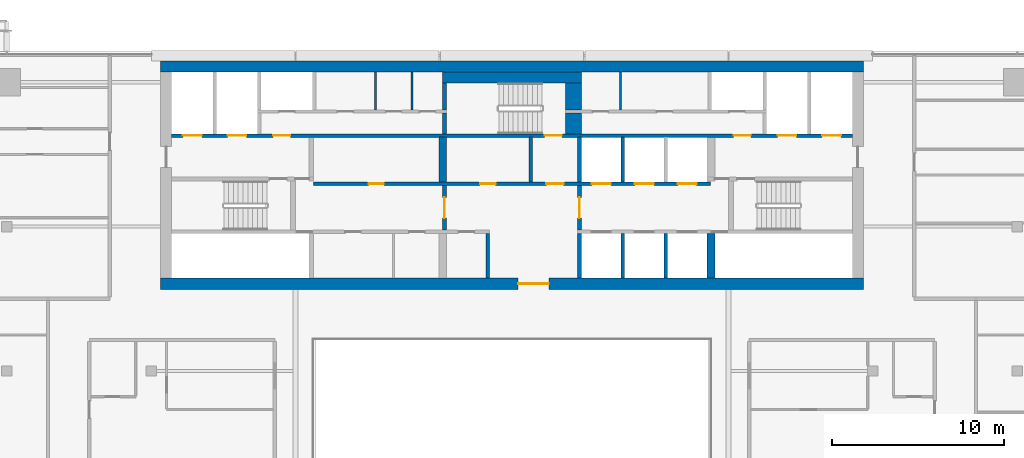
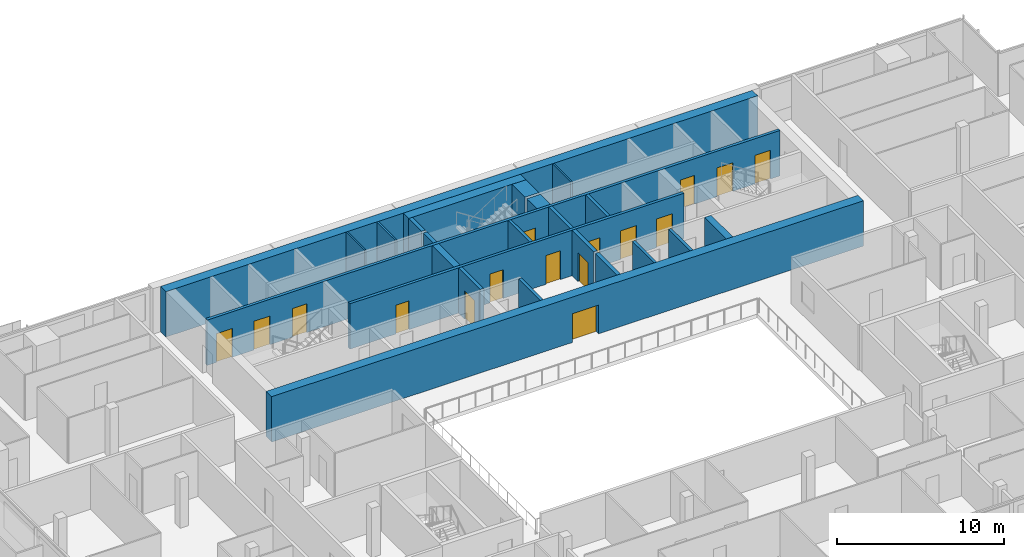
# One storey, part 21 of 30: 23 walls, 16 doors, 16 openings.
"""IFC4 building model written with IfcOpenShell, lengths in metres."""

from ifc_helpers import new_model, si_unit, direction, frame, frame_2d, origin, place, context, subcontext, project, spatial, rectangle, extrude, material, layer, layer_set, type_object, element, fill, save


model = new_model("IFC4")

# Units and contexts
model_context = context("Model", 3, precision=1e-05, world=origin(), true_north=direction((0.0, 1.0)))
body_context = subcontext(model_context, "Body", "Model", "MODEL_VIEW")
ifc_project = project(units=[si_unit("LENGTHUNIT", "METRE"), si_unit("AREAUNIT", "SQUARE_METRE"), si_unit("VOLUMEUNIT", "CUBIC_METRE"), si_unit("PLANEANGLEUNIT", "RADIAN"), si_unit("MASSUNIT", "GRAM", prefix="KILO")], contexts=[model_context])

# Site, building, storey
site_placement = place(None, origin())
site = spatial("IfcSite", under=ifc_project, at=site_placement, CompositionType="ELEMENT")
building_placement = place(site_placement, origin())
building = spatial("IfcBuilding", under=site, at=building_placement, Name="Saffron Gate Tower", CompositionType="ELEMENT")
storey_placement = place(building_placement, frame((0.0, 0.0, 216.300048828125)))
storey = spatial("IfcBuildingStorey", under=building, at=storey_placement, Name="L52", CompositionType="ELEMENT", Elevation=216.300048828125)

# Walls
ifc_material_1 = material(Name="Gypsum board partition on steel studs", Category="steel")
ifc_layer_1 = layer(ifc_material_1, 0.199951171875)
ifc_layer_set_1 = layer_set([ifc_layer_1], Name="CW10 Core partition 200")
wall_type_1 = type_object("IfcWallType", Name="CW10 Core partition 200", PredefinedType="PARTITIONING", material=ifc_layer_set_1)
for number, where, z_axis, x_axis, name in (
    (1, (86.199951171875, 62.39990234375, 0.0), (0.0, 0.0, 1.0), (0.0, 1.0, 0.0), "Wall CW10-L52-8"),
    (2, (88.699951171875, 68.0, 0.0), (0.0, 0.0, 1.0), (0.0, 1.0, 0.0), "Wall CW10-L52-21"),
):
    element("IfcWall", number, at=place(storey_placement, frame(where, z_axis=z_axis, x_axis=x_axis)), inside=storey, type_object=wall_type_1, Name=name, PredefinedType="PARTITIONING", context=body_context, shape_type="SweptSolid", body=[
        extrude(rectangle(XDim=2.60009765625, YDim=0.199951171875, at=frame_2d((1.300048828125, 0.0))), origin(), (0.0, 0.0, 1.0), 3.320068359375),
    ])
ifc_material_2 = material(Name="Concrete C60", Category="concrete")
ifc_layer_2 = layer(ifc_material_2, 0.25)
ifc_layer_set_2 = layer_set([ifc_layer_2], Name="CW14 RC core wall 250 C60")
wall_type_2 = type_object("IfcWallType", Name="CW14 RC core wall 250 C60", PredefinedType="SOLIDWALL", material=ifc_layer_set_2)
wall_1_placement = place(storey_placement, frame((91.52490234375, 62.39990234375, 0.0), z_axis=(0.0, 0.0, 1.0), x_axis=(0.0, 1.0, 0.0)))
element("IfcWall", 3, at=wall_1_placement, inside=storey, type_object=wall_type_2, Name="Wall CW14-L52-9", PredefinedType="SOLIDWALL", context=body_context, shape_type="SweptSolid", body=[
    extrude(rectangle(XDim=2.60009765625, YDim=0.25, at=frame_2d((1.300048828125, 0.0))), origin(), (0.0, 0.0, 1.0), 3.320068359375),
])

# Wall, opening, door
wall_2_placement = place(storey_placement, frame((83.675048828125, 65.199951171875, 0.0), z_axis=(0.0, 0.0, 1.0), x_axis=(0.0, 1.0, 0.0)))
wall_2 = element("IfcWall", 4, at=wall_2_placement, inside=storey, type_object=wall_type_2, Name="Wall CW14-L52-16", PredefinedType="SOLIDWALL", context=body_context, shape_type="SweptSolid", body=[
    extrude(rectangle(XDim=2.60009765625, YDim=0.25, at=frame_2d((1.300048828125, 0.0))), origin(), (0.0, 0.0, 1.0), 3.320068359375),
])
opening_1_placement = place(wall_2_placement, frame((0.699951171875, 0.0, 0.0)))
opening_1 = element("IfcOpeningElement", 5, at=opening_1_placement, cuts=wall_2, Name="Opening CR-07", PredefinedType="OPENING", context=body_context, shape_type="SweptSolid", body=[
    extrude(rectangle(XDim=1.199951171875, YDim=2.10009765625, at=frame_2d((0.60009765625, 1.050048828125))), frame((0.0, 0.135009765625, 0.0), z_axis=(0.0, -1.0, 0.0), x_axis=(1.0, 0.0, 0.0)), (0.0, 0.0, 1.0), 0.27001953125),
])
ifc_material_3 = material(Name="Steel fire door set", Category="steel")
door_type_1 = type_object("IfcDoorType", Name="CD3 Lobby door 1200x2100 EI 120", OperationType="NOTDEFINED", PredefinedType="DOOR", material=ifc_material_3)
door_1_placement = place(opening_1_placement, origin())
door_1 = element("IfcDoor", 6, at=door_1_placement, inside=storey, type_object=door_type_1, Name="DOOR CR-07", OperationType="SINGLE_SWING_RIGHT", OverallHeight=2.10009765625, OverallWidth=1.199951171875, PredefinedType="DOOR", context=body_context, shape_type="SweptSolid", body=[
    extrude(rectangle(XDim=1.199951171875, YDim=2.10009765625, at=frame_2d((0.60009765625, 1.050048828125))), frame((0.0, 0.02490234375, 0.0), z_axis=(0.0, -1.0, 0.0), x_axis=(1.0, 0.0, 0.0)), (0.0, 0.0, 1.0), 0.050048828125),
])
fill(opening_1, door_1)

wall_3_placement = place(storey_placement, frame((91.52490234375, 65.199951171875, 0.0), z_axis=(0.0, 0.0, 1.0), x_axis=(0.0, 1.0, 0.0)))
wall_3 = element("IfcWall", 7, at=wall_3_placement, inside=storey, type_object=wall_type_2, Name="Wall CW14-L52-17", PredefinedType="SOLIDWALL", context=body_context, shape_type="SweptSolid", body=[
    extrude(rectangle(XDim=2.60009765625, YDim=0.25, at=frame_2d((1.300048828125, 0.0))), origin(), (0.0, 0.0, 1.0), 3.320068359375),
])
opening_2_placement = place(wall_3_placement, frame((0.699951171875, 0.0, 0.0)))
opening_2 = element("IfcOpeningElement", 8, at=opening_2_placement, cuts=wall_3, Name="Opening CR-01", PredefinedType="OPENING", context=body_context, shape_type="SweptSolid", body=[
    extrude(rectangle(XDim=1.199951171875, YDim=2.10009765625, at=frame_2d((0.60009765625, 1.050048828125))), frame((0.0, 0.135009765625, 0.0), z_axis=(0.0, -1.0, 0.0), x_axis=(1.0, 0.0, 0.0)), (0.0, 0.0, 1.0), 0.27001953125),
])
door_2_placement = place(opening_2_placement, origin())
door_2 = element("IfcDoor", 9, at=door_2_placement, inside=storey, type_object=door_type_1, Name="DOOR CR-01", OperationType="SINGLE_SWING_RIGHT", OverallHeight=2.10009765625, OverallWidth=1.199951171875, PredefinedType="DOOR", context=body_context, shape_type="SweptSolid", body=[
    extrude(rectangle(XDim=1.199951171875, YDim=2.10009765625, at=frame_2d((0.60009765625, 1.050048828125))), frame((0.0, 0.02490234375, 0.0), z_axis=(0.0, -1.0, 0.0), x_axis=(1.0, 0.0, 0.0)), (0.0, 0.0, 1.0), 0.050048828125),
])
fill(opening_2, door_2)

# Walls
wall_4_placement = place(storey_placement, frame((91.52490234375, 68.0, 0.0), z_axis=(0.0, 0.0, 1.0), x_axis=(0.0, 1.0, 0.0)))
element("IfcWall", 10, at=wall_4_placement, inside=storey, type_object=wall_type_2, Name="Wall CW14-L52-22", PredefinedType="SOLIDWALL", context=body_context, shape_type="SweptSolid", body=[
    extrude(rectangle(XDim=2.60009765625, YDim=0.25, at=frame_2d((1.300048828125, 0.0))), origin(), (0.0, 0.0, 1.0), 3.320068359375),
])
wall_5_placement = place(storey_placement, frame((83.675048828125, 70.800048828125, 0.0), z_axis=(0.0, 0.0, 1.0), x_axis=(0.0, 1.0, 0.0)))
element("IfcWall", 11, at=wall_5_placement, inside=storey, type_object=wall_type_2, Name="Wall CW14-L52-33", PredefinedType="SOLIDWALL", context=body_context, shape_type="SweptSolid", body=[
    extrude(rectangle(XDim=1.199951171875, YDim=0.25, at=frame_2d((0.60009765625, 0.0))), origin(), (0.0, 0.0, 1.0), 3.320068359375),
])
wall_6_placement = place(storey_placement, frame((83.675048828125, 72.199951171875, 0.0), z_axis=(0.0, 0.0, 1.0), x_axis=(0.0, 1.0, 0.0)))
element("IfcWall", 12, at=wall_6_placement, inside=storey, type_object=wall_type_2, Name="Wall CW14-L52-43", PredefinedType="SOLIDWALL", context=body_context, shape_type="SweptSolid", body=[
    extrude(rectangle(XDim=1.550048828125, YDim=0.25, at=frame_2d((0.77490234375, 0.0))), origin(), (0.0, 0.0, 1.0), 3.320068359375),
])
ifc_layer_3 = layer(ifc_material_2, 0.199951171875)
ifc_layer_set_3 = layer_set([ifc_layer_3], Name="CW15 RC core wall 200 C60")
wall_type_3 = type_object("IfcWallType", Name="CW15 RC core wall 200 C60", PredefinedType="SOLIDWALL", material=ifc_layer_set_3)
for number, where, z_axis, x_axis, name in (
    (13, (94.050048828125, 62.39990234375, 0.0), (0.0, 0.0, 1.0), (0.0, 1.0, 0.0), "Wall CW15-L52-10"),
    (14, (96.550048828125, 62.39990234375, 0.0), (0.0, 0.0, 1.0), (0.0, 1.0, 0.0), "Wall CW15-L52-11"),
):
    element("IfcWall", number, at=place(storey_placement, frame(where, z_axis=z_axis, x_axis=x_axis)), inside=storey, type_object=wall_type_3, Name=name, PredefinedType="SOLIDWALL", context=body_context, shape_type="SweptSolid", body=[
        extrude(rectangle(XDim=2.60009765625, YDim=0.199951171875, at=frame_2d((1.300048828125, 0.0))), origin(), (0.0, 0.0, 1.0), 3.320068359375),
    ])

# Wall, openings, doors
wall_7_placement = place(storey_placement, frame((76.050048828125, 67.89990234375, 0.0), z_axis=(0.0, 0.0, 1.0), x_axis=(1.0, 0.0, 0.0)))
wall_7 = element("IfcWall", 15, at=wall_7_placement, inside=storey, type_object=wall_type_3, Name="Wall CW15-L52-19", PredefinedType="SOLIDWALL", context=body_context, shape_type="SweptSolid", body=[
    extrude(rectangle(XDim=23.099853515625, YDim=0.199951171875, at=frame_2d((11.5498046875, 0.0))), origin(), (0.0, 0.0, 1.0), 3.320068359375),
])
opening_3_placement = place(wall_7_placement, frame((3.199951171875, 0.0, 0.0)))
opening_3 = element("IfcOpeningElement", 16, at=opening_3_placement, cuts=wall_7, Name="Opening CR-61", PredefinedType="OPENING", context=body_context, shape_type="SweptSolid", body=[
    extrude(rectangle(XDim=0.89990234375, YDim=2.10009765625, at=frame_2d((0.449951171875, 1.050048828125))), frame((0.0, 0.10986328125, 0.0), z_axis=(0.0, -1.0, 0.0), x_axis=(1.0, 0.0, 0.0)), (0.0, 0.0, 1.0), 0.219970703125),
])
opening_4_placement = place(wall_7_placement, frame((9.699951171875, 0.0, 0.0)))
opening_4 = element("IfcOpeningElement", 17, at=opening_4_placement, cuts=wall_7, Name="Opening CR-67", PredefinedType="OPENING", context=body_context, shape_type="SweptSolid", body=[
    extrude(rectangle(XDim=0.89990234375, YDim=2.10009765625, at=frame_2d((0.449951171875, 1.050048828125))), frame((0.0, 0.10986328125, 0.0), z_axis=(0.0, -1.0, 0.0), x_axis=(1.0, 0.0, 0.0)), (0.0, 0.0, 1.0), 0.219970703125),
])
opening_5_placement = place(wall_7_placement, frame((13.550048828125, 0.0, 0.0)))
opening_5 = element("IfcOpeningElement", 18, at=opening_5_placement, cuts=wall_7, Name="Opening CR-02", PredefinedType="OPENING", context=body_context, shape_type="SweptSolid", body=[
    extrude(rectangle(XDim=1.0, YDim=2.10009765625, at=frame_2d((0.5, 1.050048828125))), frame((0.0, 0.10986328125, 0.0), z_axis=(0.0, -1.0, 0.0), x_axis=(1.0, 0.0, 0.0)), (0.0, 0.0, 1.0), 0.219970703125),
])
opening_6_placement = place(wall_7_placement, frame((16.199951171875, 0.0, 0.0)))
opening_6 = element("IfcOpeningElement", 19, at=opening_6_placement, cuts=wall_7, Name="Opening LD-HR4", PredefinedType="OPENING", context=body_context, shape_type="SweptSolid", body=[
    extrude(rectangle(XDim=1.10009765625, YDim=2.10009765625, at=frame_2d((0.550048828125, 1.050048828125))), frame((0.0, 0.10986328125, 0.0), z_axis=(0.0, -1.0, 0.0), x_axis=(1.0, 0.0, 0.0)), (0.0, 0.0, 1.0), 0.219970703125),
])
opening_7_placement = place(wall_7_placement, frame((18.699951171875, 0.0, 0.0)))
opening_7 = element("IfcOpeningElement", 20, at=opening_7_placement, cuts=wall_7, Name="Opening LD-HR5", PredefinedType="OPENING", context=body_context, shape_type="SweptSolid", body=[
    extrude(rectangle(XDim=1.10009765625, YDim=2.10009765625, at=frame_2d((0.550048828125, 1.050048828125))), frame((0.0, 0.10986328125, 0.0), z_axis=(0.0, -1.0, 0.0), x_axis=(1.0, 0.0, 0.0)), (0.0, 0.0, 1.0), 0.219970703125),
])
opening_8_placement = place(wall_7_placement, frame((21.199951171875, 0.0, 0.0)))
opening_8 = element("IfcOpeningElement", 21, at=opening_8_placement, cuts=wall_7, Name="Opening LD-HR6", PredefinedType="OPENING", context=body_context, shape_type="SweptSolid", body=[
    extrude(rectangle(XDim=1.10009765625, YDim=2.10009765625, at=frame_2d((0.550048828125, 1.050048828125))), frame((0.0, 0.10986328125, 0.0), z_axis=(0.0, -1.0, 0.0), x_axis=(1.0, 0.0, 0.0)), (0.0, 0.0, 1.0), 0.219970703125),
])
door_type_2 = type_object("IfcDoorType", Name="CD4 Lobby door 1000x2100 EI 120", OperationType="NOTDEFINED", PredefinedType="DOOR", material=ifc_material_3)
door_3_placement = place(opening_5_placement, origin())
door_3 = element("IfcDoor", 22, at=door_3_placement, inside=storey, type_object=door_type_2, Name="DOOR CR-02", OperationType="SINGLE_SWING_LEFT", OverallHeight=2.10009765625, OverallWidth=1.0, PredefinedType="DOOR", context=body_context, shape_type="SweptSolid", body=[
    extrude(rectangle(XDim=1.0, YDim=2.10009765625, at=frame_2d((0.5, 1.050048828125))), frame((0.0, 0.02490234375, 0.0), z_axis=(0.0, -1.0, 0.0), x_axis=(1.0, 0.0, 0.0)), (0.0, 0.0, 1.0), 0.050048828125),
])
fill(opening_5, door_3)
door_type_3 = type_object("IfcDoorType", Name="CD9 Room door 900x2100 EI 60", OperationType="NOTDEFINED", PredefinedType="DOOR", material=ifc_material_3)
door_4_placement = place(opening_3_placement, origin())
door_4 = element("IfcDoor", 23, at=door_4_placement, inside=storey, type_object=door_type_3, Name="DOOR CR-61", OperationType="SINGLE_SWING_LEFT", OverallHeight=2.10009765625, OverallWidth=0.89990234375, PredefinedType="DOOR", context=body_context, shape_type="SweptSolid", body=[
    extrude(rectangle(XDim=0.89990234375, YDim=2.10009765625, at=frame_2d((0.449951171875, 1.050048828125))), frame((0.0, 0.02490234375, 0.0), z_axis=(0.0, -1.0, 0.0), x_axis=(1.0, 0.0, 0.0)), (0.0, 0.0, 1.0), 0.050048828125),
])
fill(opening_3, door_4)
door_5_placement = place(opening_4_placement, origin())
door_5 = element("IfcDoor", 24, at=door_5_placement, inside=storey, type_object=door_type_3, Name="DOOR CR-67", OperationType="SINGLE_SWING_LEFT", OverallHeight=2.10009765625, OverallWidth=0.89990234375, PredefinedType="DOOR", context=body_context, shape_type="SweptSolid", body=[
    extrude(rectangle(XDim=0.89990234375, YDim=2.10009765625, at=frame_2d((0.449951171875, 1.050048828125))), frame((0.0, 0.02490234375, 0.0), z_axis=(0.0, -1.0, 0.0), x_axis=(1.0, 0.0, 0.0)), (0.0, 0.0, 1.0), 0.050048828125),
])
fill(opening_4, door_5)
ifc_material_4 = material(Name="Stainless steel landing door", Category="steel")
door_type_4 = type_object("IfcDoorType", Name="LD Lift landing door 1100x2100 EI 120", OperationType="SLIDING_TO_LEFT", PredefinedType="DOOR", material=ifc_material_4)
door_6_placement = place(opening_6_placement, origin())
door_6 = element("IfcDoor", 25, at=door_6_placement, inside=storey, type_object=door_type_4, Name="LANDING DOOR LD-HR4", OperationType="SLIDING_TO_RIGHT", OverallHeight=2.10009765625, OverallWidth=1.10009765625, PredefinedType="DOOR", context=body_context, shape_type="SweptSolid", body=[
    extrude(rectangle(XDim=1.10009765625, YDim=2.10009765625, at=frame_2d((0.550048828125, 1.050048828125))), frame((0.0, 0.02490234375, 0.0), z_axis=(0.0, -1.0, 0.0), x_axis=(1.0, 0.0, 0.0)), (0.0, 0.0, 1.0), 0.050048828125),
])
fill(opening_6, door_6)
door_7_placement = place(opening_7_placement, origin())
door_7 = element("IfcDoor", 26, at=door_7_placement, inside=storey, type_object=door_type_4, Name="LANDING DOOR LD-HR5", OperationType="SLIDING_TO_RIGHT", OverallHeight=2.10009765625, OverallWidth=1.10009765625, PredefinedType="DOOR", context=body_context, shape_type="SweptSolid", body=[
    extrude(rectangle(XDim=1.10009765625, YDim=2.10009765625, at=frame_2d((0.550048828125, 1.050048828125))), frame((0.0, 0.02490234375, 0.0), z_axis=(0.0, -1.0, 0.0), x_axis=(1.0, 0.0, 0.0)), (0.0, 0.0, 1.0), 0.050048828125),
])
fill(opening_7, door_7)
door_8_placement = place(opening_8_placement, origin())
door_8 = element("IfcDoor", 27, at=door_8_placement, inside=storey, type_object=door_type_4, Name="LANDING DOOR LD-HR6", OperationType="SLIDING_TO_RIGHT", OverallHeight=2.10009765625, OverallWidth=1.10009765625, PredefinedType="DOOR", context=body_context, shape_type="SweptSolid", body=[
    extrude(rectangle(XDim=1.10009765625, YDim=2.10009765625, at=frame_2d((0.550048828125, 1.050048828125))), frame((0.0, 0.02490234375, 0.0), z_axis=(0.0, -1.0, 0.0), x_axis=(1.0, 0.0, 0.0)), (0.0, 0.0, 1.0), 0.050048828125),
])
fill(opening_8, door_8)

# Wall
wall_8_placement = place(storey_placement, frame((94.050048828125, 68.0, 0.0), z_axis=(0.0, 0.0, 1.0), x_axis=(0.0, 1.0, 0.0)))
element("IfcWall", 28, at=wall_8_placement, inside=storey, type_object=wall_type_3, Name="Wall CW15-L52-23", PredefinedType="SOLIDWALL", context=body_context, shape_type="SweptSolid", body=[
    extrude(rectangle(XDim=2.60009765625, YDim=0.199951171875, at=frame_2d((1.300048828125, 0.0))), origin(), (0.0, 0.0, 1.0), 3.320068359375),
])

# Wall, openings, doors
wall_9_placement = place(storey_placement, frame((67.800048828125, 70.699951171875, 0.0), z_axis=(0.0, 0.0, 1.0), x_axis=(1.0, 0.0, 0.0)))
wall_9 = element("IfcWall", 29, at=wall_9_placement, inside=storey, type_object=wall_type_3, Name="Wall CW15-L52-30", PredefinedType="SOLIDWALL", context=body_context, shape_type="SweptSolid", body=[
    extrude(rectangle(XDim=39.599853515625, YDim=0.199951171875, at=frame_2d((19.7998046875, 0.0))), origin(), (0.0, 0.0, 1.0), 3.320068359375),
])
opening_9_placement = place(wall_9_placement, frame((0.64990234375, 0.0, 0.0)))
opening_9 = element("IfcOpeningElement", 30, at=opening_9_placement, cuts=wall_9, Name="Opening LD-FF1", PredefinedType="OPENING", context=body_context, shape_type="SweptSolid", body=[
    extrude(rectangle(XDim=1.10009765625, YDim=2.10009765625, at=frame_2d((0.550048828125, 1.050048828125))), frame((0.0, 0.10986328125, 0.0), z_axis=(0.0, -1.0, 0.0), x_axis=(1.0, 0.0, 0.0)), (0.0, 0.0, 1.0), 0.219970703125),
])
opening_10_placement = place(wall_9_placement, frame((3.25, 0.0, 0.0)))
opening_10 = element("IfcOpeningElement", 31, at=opening_10_placement, cuts=wall_9, Name="Opening LD-SV1", PredefinedType="OPENING", context=body_context, shape_type="SweptSolid", body=[
    extrude(rectangle(XDim=1.10009765625, YDim=2.10009765625, at=frame_2d((0.550048828125, 1.050048828125))), frame((0.0, 0.10986328125, 0.0), z_axis=(0.0, -1.0, 0.0), x_axis=(1.0, 0.0, 0.0)), (0.0, 0.0, 1.0), 0.219970703125),
])
opening_11_placement = place(wall_9_placement, frame((5.89990234375, 0.0, 0.0)))
opening_11 = element("IfcOpeningElement", 32, at=opening_11_placement, cuts=wall_9, Name="Opening CR-03", PredefinedType="OPENING", context=body_context, shape_type="SweptSolid", body=[
    extrude(rectangle(XDim=1.0, YDim=2.10009765625, at=frame_2d((0.5, 1.050048828125))), frame((0.0, 0.10986328125, 0.0), z_axis=(0.0, -1.0, 0.0), x_axis=(1.0, 0.0, 0.0)), (0.0, 0.0, 1.0), 0.219970703125),
])
opening_12_placement = place(wall_9_placement, frame((21.699951171875, 0.0, 0.0)))
opening_12 = element("IfcOpeningElement", 33, at=opening_12_placement, cuts=wall_9, Name="Opening CR-17", PredefinedType="OPENING", context=body_context, shape_type="SweptSolid", body=[
    extrude(rectangle(XDim=1.0, YDim=2.10009765625, at=frame_2d((0.5, 1.050048828125))), frame((0.0, 0.10986328125, 0.0), z_axis=(0.0, -1.0, 0.0), x_axis=(1.0, 0.0, 0.0)), (0.0, 0.0, 1.0), 0.219970703125),
])
opening_13_placement = place(wall_9_placement, frame((32.699951171875, 0.0, 0.0)))
opening_13 = element("IfcOpeningElement", 34, at=opening_13_placement, cuts=wall_9, Name="Opening CR-04", PredefinedType="OPENING", context=body_context, shape_type="SweptSolid", body=[
    extrude(rectangle(XDim=1.0, YDim=2.10009765625, at=frame_2d((0.5, 1.050048828125))), frame((0.0, 0.10986328125, 0.0), z_axis=(0.0, -1.0, 0.0), x_axis=(1.0, 0.0, 0.0)), (0.0, 0.0, 1.0), 0.219970703125),
])
opening_14_placement = place(wall_9_placement, frame((35.25, 0.0, 0.0)))
opening_14 = element("IfcOpeningElement", 35, at=opening_14_placement, cuts=wall_9, Name="Opening LD-SV2", PredefinedType="OPENING", context=body_context, shape_type="SweptSolid", body=[
    extrude(rectangle(XDim=1.10009765625, YDim=2.10009765625, at=frame_2d((0.550048828125, 1.050048828125))), frame((0.0, 0.10986328125, 0.0), z_axis=(0.0, -1.0, 0.0), x_axis=(1.0, 0.0, 0.0)), (0.0, 0.0, 1.0), 0.219970703125),
])
opening_15_placement = place(wall_9_placement, frame((37.85009765625, 0.0, 0.0)))
opening_15 = element("IfcOpeningElement", 36, at=opening_15_placement, cuts=wall_9, Name="Opening LD-FF2", PredefinedType="OPENING", context=body_context, shape_type="SweptSolid", body=[
    extrude(rectangle(XDim=1.10009765625, YDim=2.10009765625, at=frame_2d((0.550048828125, 1.050048828125))), frame((0.0, 0.10986328125, 0.0), z_axis=(0.0, -1.0, 0.0), x_axis=(1.0, 0.0, 0.0)), (0.0, 0.0, 1.0), 0.219970703125),
])
door_9_placement = place(opening_11_placement, origin())
door_9 = element("IfcDoor", 37, at=door_9_placement, inside=storey, type_object=door_type_2, Name="DOOR CR-03", OperationType="SINGLE_SWING_LEFT", OverallHeight=2.10009765625, OverallWidth=1.0, PredefinedType="DOOR", context=body_context, shape_type="SweptSolid", body=[
    extrude(rectangle(XDim=1.0, YDim=2.10009765625, at=frame_2d((0.5, 1.050048828125))), frame((0.0, 0.02490234375, 0.0), z_axis=(0.0, -1.0, 0.0), x_axis=(1.0, 0.0, 0.0)), (0.0, 0.0, 1.0), 0.050048828125),
])
fill(opening_11, door_9)
door_10_placement = place(opening_13_placement, origin())
door_10 = element("IfcDoor", 38, at=door_10_placement, inside=storey, type_object=door_type_2, Name="DOOR CR-04", OperationType="SINGLE_SWING_RIGHT", OverallHeight=2.10009765625, OverallWidth=1.0, PredefinedType="DOOR", context=body_context, shape_type="SweptSolid", body=[
    extrude(rectangle(XDim=1.0, YDim=2.10009765625, at=frame_2d((0.5, 1.050048828125))), frame((0.0, 0.02490234375, 0.0), z_axis=(0.0, -1.0, 0.0), x_axis=(1.0, 0.0, 0.0)), (0.0, 0.0, 1.0), 0.050048828125),
])
fill(opening_13, door_10)
door_type_5 = type_object("IfcDoorType", Name="CD5 Stair door 1000x2100 EI 120", OperationType="NOTDEFINED", PredefinedType="DOOR", material=ifc_material_3)
door_11_placement = place(opening_12_placement, origin())
door_11 = element("IfcDoor", 39, at=door_11_placement, inside=storey, type_object=door_type_5, Name="DOOR CR-17", OperationType="SINGLE_SWING_RIGHT", OverallHeight=2.10009765625, OverallWidth=1.0, PredefinedType="DOOR", context=body_context, shape_type="SweptSolid", body=[
    extrude(rectangle(XDim=1.0, YDim=2.10009765625, at=frame_2d((0.5, 1.050048828125))), frame((0.0, 0.02490234375, 0.0), z_axis=(0.0, -1.0, 0.0), x_axis=(1.0, 0.0, 0.0)), (0.0, 0.0, 1.0), 0.050048828125),
])
fill(opening_12, door_11)
door_12_placement = place(opening_9_placement, origin())
door_12 = element("IfcDoor", 40, at=door_12_placement, inside=storey, type_object=door_type_4, Name="LANDING DOOR LD-FF1", OperationType="SLIDING_TO_RIGHT", OverallHeight=2.10009765625, OverallWidth=1.10009765625, PredefinedType="DOOR", context=body_context, shape_type="SweptSolid", body=[
    extrude(rectangle(XDim=1.10009765625, YDim=2.10009765625, at=frame_2d((0.550048828125, 1.050048828125))), frame((0.0, 0.02490234375, 0.0), z_axis=(0.0, -1.0, 0.0), x_axis=(1.0, 0.0, 0.0)), (0.0, 0.0, 1.0), 0.050048828125),
])
fill(opening_9, door_12)
door_13_placement = place(opening_10_placement, origin())
door_13 = element("IfcDoor", 41, at=door_13_placement, inside=storey, type_object=door_type_4, Name="LANDING DOOR LD-SV1", OperationType="SLIDING_TO_RIGHT", OverallHeight=2.10009765625, OverallWidth=1.10009765625, PredefinedType="DOOR", context=body_context, shape_type="SweptSolid", body=[
    extrude(rectangle(XDim=1.10009765625, YDim=2.10009765625, at=frame_2d((0.550048828125, 1.050048828125))), frame((0.0, 0.02490234375, 0.0), z_axis=(0.0, -1.0, 0.0), x_axis=(1.0, 0.0, 0.0)), (0.0, 0.0, 1.0), 0.050048828125),
])
fill(opening_10, door_13)
door_14_placement = place(opening_14_placement, origin())
door_14 = element("IfcDoor", 42, at=door_14_placement, inside=storey, type_object=door_type_4, Name="LANDING DOOR LD-SV2", OperationType="SLIDING_TO_RIGHT", OverallHeight=2.10009765625, OverallWidth=1.10009765625, PredefinedType="DOOR", context=body_context, shape_type="SweptSolid", body=[
    extrude(rectangle(XDim=1.10009765625, YDim=2.10009765625, at=frame_2d((0.550048828125, 1.050048828125))), frame((0.0, 0.02490234375, 0.0), z_axis=(0.0, -1.0, 0.0), x_axis=(1.0, 0.0, 0.0)), (0.0, 0.0, 1.0), 0.050048828125),
])
fill(opening_14, door_14)
door_15_placement = place(opening_15_placement, origin())
door_15 = element("IfcDoor", 43, at=door_15_placement, inside=storey, type_object=door_type_4, Name="LANDING DOOR LD-FF2", OperationType="SLIDING_TO_RIGHT", OverallHeight=2.10009765625, OverallWidth=1.10009765625, PredefinedType="DOOR", context=body_context, shape_type="SweptSolid", body=[
    extrude(rectangle(XDim=1.10009765625, YDim=2.10009765625, at=frame_2d((0.550048828125, 1.050048828125))), frame((0.0, 0.02490234375, 0.0), z_axis=(0.0, -1.0, 0.0), x_axis=(1.0, 0.0, 0.0)), (0.0, 0.0, 1.0), 0.050048828125),
])
fill(opening_15, door_15)

# Walls
ifc_layer_4 = layer(ifc_material_2, 0.449951171875)
ifc_layer_set_4 = layer_set([ifc_layer_4], Name="CW16 RC core wall 450 C60")
wall_type_4 = type_object("IfcWallType", Name="CW16 RC core wall 450 C60", PredefinedType="SOLIDWALL", material=ifc_layer_set_4)
for number, where, z_axis, x_axis, name in (
    (44, (99.175048828125, 62.39990234375, 0.0), (0.0, 0.0, 1.0), (0.0, 1.0, 0.0), "Wall CW16-L52-12"),
    (45, (83.574951171875, 68.0, 0.0), (0.0, 0.0, 1.0), (0.0, 1.0, 0.0), "Wall CW16-L52-20"),
):
    element("IfcWall", number, at=place(storey_placement, frame(where, z_axis=z_axis, x_axis=x_axis)), inside=storey, type_object=wall_type_4, Name=name, PredefinedType="SOLIDWALL", context=body_context, shape_type="SweptSolid", body=[
        extrude(rectangle(XDim=2.60009765625, YDim=0.449951171875, at=frame_2d((1.300048828125, 0.0))), origin(), (0.0, 0.0, 1.0), 3.320068359375),
    ])
ifc_layer_5 = layer(ifc_material_2, 0.949951171875)
ifc_layer_set_5 = layer_set([ifc_layer_5], Name="CW19 RC core wall 950 C60")
wall_type_5 = type_object("IfcWallType", Name="CW19 RC core wall 950 C60", PredefinedType="SOLIDWALL", material=ifc_layer_set_5)
wall_10_placement = place(storey_placement, frame((91.175048828125, 70.800048828125, 0.0), z_axis=(0.0, 0.0, 1.0), x_axis=(0.0, 1.0, 0.0)))
element("IfcWall", 46, at=wall_10_placement, inside=storey, type_object=wall_type_5, Name="Wall CW19-L52-34", PredefinedType="SOLIDWALL", context=body_context, shape_type="SweptSolid", body=[
    extrude(rectangle(XDim=1.199951171875, YDim=0.949951171875, at=frame_2d((0.60009765625, 0.0))), origin(), (0.0, 0.0, 1.0), 3.320068359375),
])
wall_11_placement = place(storey_placement, frame((91.175048828125, 72.199951171875, 0.0), z_axis=(0.0, 0.0, 1.0), x_axis=(0.0, 1.0, 0.0)))
element("IfcWall", 47, at=wall_11_placement, inside=storey, type_object=wall_type_5, Name="Wall CW19-L52-44", PredefinedType="SOLIDWALL", context=body_context, shape_type="SweptSolid", body=[
    extrude(rectangle(XDim=1.550048828125, YDim=0.949951171875, at=frame_2d((0.77490234375, 0.0))), origin(), (0.0, 0.0, 1.0), 3.320068359375),
])

# Wall, opening, door
ifc_layer_6 = layer(ifc_material_2, 0.64990234375)
ifc_layer_set_6 = layer_set([ifc_layer_6], Name="CW20 RC core wall 650 C60")
wall_type_6 = type_object("IfcWallType", Name="CW20 RC core wall 650 C60", PredefinedType="SOLIDWALL", material=ifc_layer_set_6)
wall_12_placement = place(storey_placement, frame((67.14990234375, 62.074951171875, 0.0), z_axis=(0.0, 0.0, 1.0), x_axis=(1.0, 0.0, 0.0)))
wall_12 = element("IfcWall", 48, at=wall_12_placement, inside=storey, type_object=wall_type_6, Name="Wall CW20-L52-1", PredefinedType="SOLIDWALL", context=body_context, shape_type="SweptSolid", body=[
    extrude(rectangle(XDim=40.900146484375, YDim=0.64990234375, at=frame_2d((20.4501953125, 0.0))), origin(), (0.0, 0.0, 1.0), 3.320068359375),
])
opening_16_placement = place(wall_12_placement, frame((20.800048828125, 0.0, 0.0)))
opening_16 = element("IfcOpeningElement", 49, at=opening_16_placement, cuts=wall_12, Name="Opening CR-09", PredefinedType="OPENING", context=body_context, shape_type="SweptSolid", body=[
    extrude(rectangle(XDim=1.800048828125, YDim=2.10009765625, at=frame_2d((0.89990234375, 1.050048828125))), frame((0.0, 0.3349609375, 0.0), z_axis=(0.0, -1.0, 0.0), x_axis=(1.0, 0.0, 0.0)), (0.0, 0.0, 1.0), 0.669921875),
])
door_type_6 = type_object("IfcDoorType", Name="CD1 Core entrance door 1800x2100 EI 120", OperationType="NOTDEFINED", PredefinedType="DOOR", material=ifc_material_3)
door_16_placement = place(opening_16_placement, origin())
door_16 = element("IfcDoor", 50, at=door_16_placement, inside=storey, type_object=door_type_6, Name="DOOR CR-09", OperationType="DOUBLE_DOOR_SINGLE_SWING", OverallHeight=2.10009765625, OverallWidth=1.800048828125, PredefinedType="DOOR", context=body_context, shape_type="SweptSolid", body=[
    extrude(rectangle(XDim=1.800048828125, YDim=2.10009765625, at=frame_2d((0.89990234375, 1.050048828125))), frame((0.0, 0.02490234375, 0.0), z_axis=(0.0, -1.0, 0.0), x_axis=(1.0, 0.0, 0.0)), (0.0, 0.0, 1.0), 0.050048828125),
])
fill(opening_16, door_16)

# Walls
wall_13_placement = place(storey_placement, frame((67.14990234375, 74.72509765625, 0.0), z_axis=(0.0, 0.0, 1.0), x_axis=(1.0, 0.0, 0.0)))
element("IfcWall", 51, at=wall_13_placement, inside=storey, type_object=wall_type_6, Name="Wall CW20-L52-2", PredefinedType="SOLIDWALL", context=body_context, shape_type="SweptSolid", body=[
    extrude(rectangle(XDim=40.900146484375, YDim=0.64990234375, at=frame_2d((20.4501953125, 0.0))), origin(), (0.0, 0.0, 1.0), 3.320068359375),
])
wall_14_placement = place(storey_placement, frame((83.550048828125, 74.074951171875, 0.0), z_axis=(0.0, 0.0, 1.0), x_axis=(1.0, 0.0, 0.0)))
element("IfcWall", 52, at=wall_14_placement, inside=storey, type_object=wall_type_6, Name="Wall CW20-L52-48", PredefinedType="SOLIDWALL", context=body_context, shape_type="SweptSolid", body=[
    extrude(rectangle(XDim=8.099853515625, YDim=0.64990234375, at=frame_2d((4.0498046875, 0.0))), origin(), (0.0, 0.0, 1.0), 3.320068359375),
])
ifc_layer_7 = layer(ifc_material_1, 0.1201171875)
ifc_layer_set_7 = layer_set([ifc_layer_7], Name="CW8 Core partition 120")
wall_type_7 = type_object("IfcWallType", Name="CW8 Core partition 120", PredefinedType="PARTITIONING", material=ifc_layer_set_7)
for number, where, z_axis, x_axis, name in (
    (53, (79.659912109375, 72.199951171875, 0.0), (0.0, 0.0, 1.0), (0.0, 1.0, 0.0), "Wall CW8-L52-41"),
    (54, (81.780029296875, 72.199951171875, 0.0), (0.0, 0.0, 1.0), (0.0, 1.0, 0.0), "Wall CW8-L52-42"),
    (55, (93.909912109375, 72.199951171875, 0.0), (0.0, 0.0, 1.0), (0.0, 1.0, 0.0), "Wall CW8-L52-45"),
):
    element("IfcWall", number, at=place(storey_placement, frame(where, z_axis=z_axis, x_axis=x_axis)), inside=storey, type_object=wall_type_7, Name=name, PredefinedType="PARTITIONING", context=body_context, shape_type="SweptSolid", body=[
        extrude(rectangle(XDim=2.199951171875, YDim=0.1201171875, at=frame_2d((1.10009765625, 0.0))), origin(), (0.0, 0.0, 1.0), 3.320068359375),
    ])

save(model, "model.ifc")
